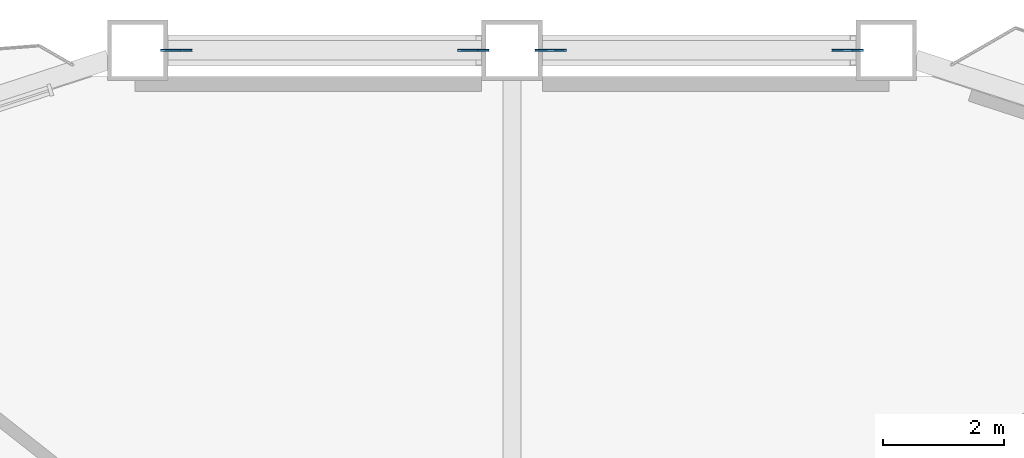
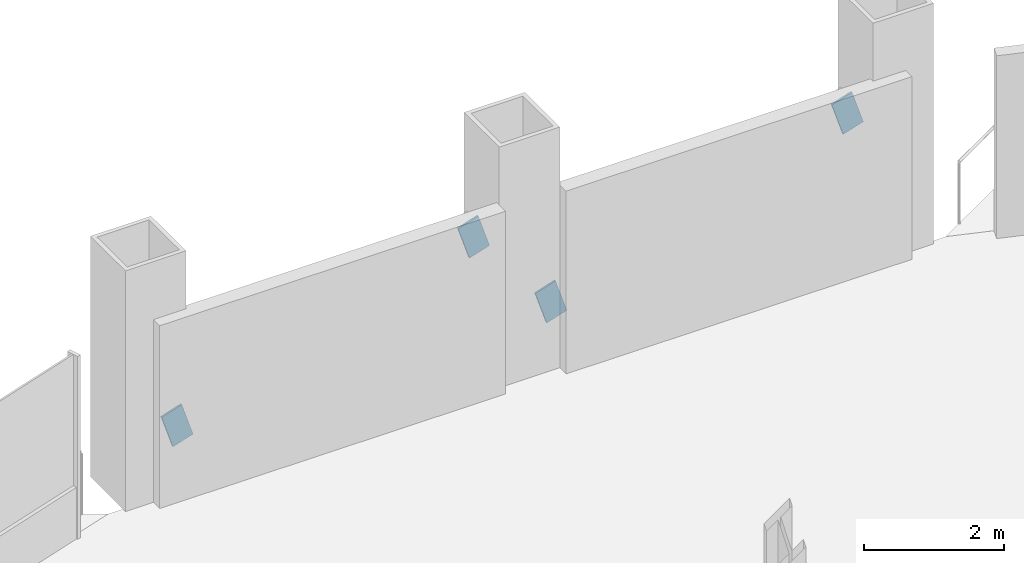
# One storey, part 15 of 20: 4 discrete accessories.
"""IFC4 building model written with IfcOpenShell, lengths in metres."""

import ifcopenshell
import ifcopenshell.guid

model = None  # the IFC model being written
_history = None  # IfcOwnerHistory: only IFC2X3 demands one
_inside = {}  # id of a spatial element -> (the spatial element, [elements in it])
_under = {}  # id of a project, library or spatial element -> (it, [spatial elements below it])
_declared = {}  # id of a project -> (the project, [libraries it declares])
_typed = {}  # id of a type object -> (the type object, [elements of that type])
_made_of = {}  # id of a material, layer set ... -> (it, [elements and type objects made of it])


def new_model(schema):
    """Start an empty IFC model of exactly this schema.

    Asked for "IFC4X3", IfcOpenShell would pick the latest addendum, in which some entities
    have other attributes; the version numbers below select the first issue.
    IFC2X3 requires an IfcOwnerHistory on every rooted entity: one is made here for all.
    """
    global model, _history
    if schema == "IFC4X3":
        model = ifcopenshell.file(schema_version=(4, 3, 0, 0))
    else:
        model = ifcopenshell.file(schema=schema)
    _inside.clear()
    _under.clear()
    _declared.clear()
    _typed.clear()
    _made_of.clear()
    _history = None
    if model.schema == "IFC2X3":
        org = make("IfcOrganization", Name="unknown")
        user = make(
            "IfcPersonAndOrganization",
            ThePerson=make("IfcPerson", FamilyName="unknown"),
            TheOrganization=org,
        )
        app = make(
            "IfcApplication",
            ApplicationDeveloper=org,
            Version="unknown",
            ApplicationFullName="unknown",
            ApplicationIdentifier="unknown",
        )
        _history = make(
            "IfcOwnerHistory",
            OwningUser=user,
            OwningApplication=app,
            ChangeAction="ADDED",
            CreationDate=0,
        )
    return model


def make(cls, **values):
    """One entity of the class cls with the attributes given. An attribute that is None is left unset."""
    return model.create_entity(
        cls, **{name: value for name, value in values.items() if value is not None}
    )


def rooted(cls, **values):
    """An entity with a GlobalId (a new one), such as an element, a storey or a relation."""
    return make(cls, GlobalId=ifcopenshell.guid.new(), OwnerHistory=_history, **values)


def si_unit(unit_type, name, prefix=None):
    """IfcSIUnit, for example si_unit("LENGTHUNIT", "METRE", prefix="MILLI")."""
    return make("IfcSIUnit", UnitType=unit_type, Prefix=prefix, Name=name)


def assignment(units):
    """IfcUnitAssignment: the units of a project."""
    return None if units is None else make("IfcUnitAssignment", Units=units)


def point(xyz):
    """IfcCartesianPoint."""
    return None if xyz is None else make("IfcCartesianPoint", Coordinates=xyz)


def direction(xyz):
    """IfcDirection."""
    return None if xyz is None else make("IfcDirection", DirectionRatios=xyz)


def frame(location, z_axis=None, x_axis=None):
    """IfcAxis2Placement3D, a coordinate frame: its origin and axes. An axis left out is left unset."""
    return make(
        "IfcAxis2Placement3D",
        Location=point(location),
        Axis=direction(z_axis),
        RefDirection=direction(x_axis),
    )


def frame_2d(location, x_axis=None):
    """IfcAxis2Placement2D, a coordinate frame in the plane: its origin and x axis."""
    return make(
        "IfcAxis2Placement2D", Location=point(location), RefDirection=direction(x_axis)
    )


def origin():
    """The frame at (0, 0, 0) with its axes left unset."""
    return frame((0.0, 0.0, 0.0))


def origin_2d():
    """The frame at (0, 0) in the plane with its x axis left unset."""
    return frame_2d((0.0, 0.0))


def place(relative_to, where):
    """IfcLocalPlacement: puts the frame where relative to a parent placement (None: the world)."""
    return make(
        "IfcLocalPlacement", PlacementRelTo=relative_to, RelativePlacement=where
    )


def context(
    kind, dimensions, precision=None, world=None, true_north=None, identifier=None
):
    """IfcGeometricRepresentationContext, for example the 3D "Model" context."""
    return make(
        "IfcGeometricRepresentationContext",
        ContextIdentifier=identifier,
        ContextType=kind,
        CoordinateSpaceDimension=dimensions,
        Precision=precision,
        WorldCoordinateSystem=world,
        TrueNorth=true_north,
    )


def subcontext(parent, identifier, kind, view, scale=None):
    """IfcGeometricRepresentationSubContext, for example "Body" below "Model"."""
    return make(
        "IfcGeometricRepresentationSubContext",
        ContextIdentifier=identifier,
        ContextType=kind,
        ParentContext=parent,
        TargetScale=scale,
        TargetView=view,
    )


def project(units=None, contexts=None):
    """IfcProject with its units and contexts."""
    return rooted(
        "IfcProject",
        Name="project",
        RepresentationContexts=contexts,
        UnitsInContext=assignment(units),
    )


def spatial(cls, under=None, at=None, **own):
    """A site, building, storey or space (cls), placed at a placement, below another one or the project."""
    s = rooted(cls, ObjectPlacement=at, **own)
    if under is not None:
        _under.setdefault(under.id(), (under, []))[1].append(s)
    return s


def profile(cls, at=None, kind="AREA", **sizes):
    """A parametric profile (cls). Its sizes go by their IFC names, for example OverallWidth=200.0."""
    return make(cls, ProfileType=kind, Position=at, **sizes)


def rectangle(**sizes):
    """IfcRectangleProfileDef."""
    return profile("IfcRectangleProfileDef", **sizes)


def extrude(swept, where, along, depth):
    """IfcExtrudedAreaSolid: the profile swept, set in the frame where, extruded along a direction by depth."""
    return make(
        "IfcExtrudedAreaSolid",
        SweptArea=swept,
        Position=where,
        ExtrudedDirection=direction(along),
        Depth=depth,
    )


def shape(context_of_items, identifier, shape_type, items):
    """IfcShapeRepresentation: the items that make up one representation, for example the "Body"."""
    return make(
        "IfcShapeRepresentation",
        ContextOfItems=context_of_items,
        RepresentationIdentifier=identifier,
        RepresentationType=shape_type,
        Items=items,
    )


def material(Name=None, Category=None):
    """IfcMaterial."""
    return make("IfcMaterial", Name=Name, Category=Category)


def material_profile(
    of_material, cross_section, Name=None, Category=None, Priority=None
):
    """IfcMaterialProfile: a cross section and its material."""
    return make(
        "IfcMaterialProfile",
        Name=Name,
        Material=of_material,
        Profile=cross_section,
        Priority=Priority,
        Category=Category,
    )


def profile_set(profiles, Name=None, composite=None):
    """IfcMaterialProfileSet."""
    return make(
        "IfcMaterialProfileSet",
        Name=Name,
        MaterialProfiles=profiles,
        CompositeProfile=composite,
    )


def made_of(thing, what):
    """Note that an element or type object is made of a material, layer set ...; save() writes the relation."""
    if what is not None:
        _made_of.setdefault(what.id(), (what, []))[1].append(thing)
    return thing


def type_object(cls, material=None, **own):
    """A type object (cls), such as IfcWallType, which elements share."""
    return made_of(rooted(cls, **own), material)


def element(
    cls,
    number,
    at=None,
    inside=None,
    cuts=None,
    type_object=None,
    material=None,
    context=None,
    identifier="Body",
    shape_type=None,
    held_by="IfcProductDefinitionShape",
    body=None,
    shapes=None,
    **own,
):
    """One element of the class cls, such as IfcWall. Its Tag is "e" and its number.

    at: its placement. inside: the storey or other place that contains it. cuts: it is an
    opening in that element (IfcRelVoidsElement). A single representation is given by context,
    identifier, shape_type and body (its items); several are given by shapes. held_by: the class
    of the entity that holds the representations. save() writes the other relations.
    """
    e = rooted(cls, Tag="e%d" % number, ObjectPlacement=at, **own)
    if body is not None:
        shapes = [shape(context, identifier, shape_type, body)]
    if shapes is not None:
        e.Representation = make(held_by, Representations=shapes)
    if inside is not None:
        _inside.setdefault(inside.id(), (inside, []))[1].append(e)
    if cuts is not None:
        rooted(
            "IfcRelVoidsElement", RelatingBuildingElement=cuts, RelatedOpeningElement=e
        )
    if type_object is not None:
        _typed.setdefault(type_object.id(), (type_object, []))[1].append(e)
    return made_of(e, material)


def aggregate(whole, parts):
    """IfcRelAggregates: a whole, such as a stair, and the parts it consists of."""
    return rooted("IfcRelAggregates", RelatingObject=whole, RelatedObjects=parts)


def save(model, path):
    """Write the relations noted so far, then the file.

    IfcRelAggregates (storeys below a building ...), IfcRelContainedInSpatialStructure (elements
    in a storey), IfcRelDefinesByType, IfcRelAssociatesMaterial and IfcRelDeclares: one each for
    every whole, place, type object, material and project.
    """
    for whole, parts in _under.values():
        aggregate(whole, parts)
    for where, things in _inside.values():
        rooted(
            "IfcRelContainedInSpatialStructure",
            RelatedElements=things,
            RelatingStructure=where,
        )
    for kind, things in _typed.values():
        rooted("IfcRelDefinesByType", RelatedObjects=things, RelatingType=kind)
    for what, things in _made_of.values():
        rooted("IfcRelAssociatesMaterial", RelatedObjects=things, RelatingMaterial=what)
    for by, libraries in _declared.values():
        rooted("IfcRelDeclares", RelatingContext=by, RelatedDefinitions=libraries)
    model.write(path)


model = new_model("IFC4")

# Units and contexts
model_context = context("Model", 3, precision=1e-05, world=origin(), true_north=direction((0.0, 1.0)))
body_context = subcontext(model_context, "Body", "Model", "MODEL_VIEW")
ifc_project = project(units=[si_unit("LENGTHUNIT", "METRE"), si_unit("AREAUNIT", "SQUARE_METRE"), si_unit("VOLUMEUNIT", "CUBIC_METRE"), si_unit("PLANEANGLEUNIT", "RADIAN"), si_unit("MASSUNIT", "GRAM", prefix="KILO")], contexts=[model_context])

# Site, building, storey
site_placement = place(None, origin())
site = spatial("IfcSite", under=ifc_project, at=site_placement, CompositionType="ELEMENT")
building_placement = place(site_placement, origin())
building = spatial("IfcBuilding", under=site, at=building_placement, Name="Cormorant Prow Tower", CompositionType="ELEMENT")
storey_placement = place(building_placement, frame((0.0, 0.0, 38.39990234375)))
storey = spatial("IfcBuildingStorey", under=building, at=storey_placement, Name="L07", CompositionType="ELEMENT", Elevation=38.39990234375)

# Discrete accessories
ifc_material = material(Name="Structural steel ASTM A500 Gr C", Category="steel")
ifc_material_profile = material_profile(ifc_material, rectangle(XDim=0.031982421875, YDim=0.60791015625, at=origin_2d()), Name="Gusset plate 32x608")
ifc_profile_set = profile_set([ifc_material_profile], Name="Structural steel ASTM A500 Gr C")
discrete_accessory_type = type_object("IfcDiscreteAccessoryType", Name="Gusset plate 32x608", PredefinedType="BRACKET", material=ifc_profile_set)
for number, where, z_axis, x_axis, name in (
    (1, (0.80419921875, 32.233642578125, 0.859375), (-0.951708617761, 0.0, -0.307002779923), (0.0, -1.0, 0.0), "Gusset plate GP1 L07.N00.g0"),
    (2, (5.365478515625, 32.233642578125, 2.329833984375), (0.951912313317, 0.0, 0.306370605239), (0.0, 1.0, 0.0), "Gusset plate GP1 L07.N00.g1"),
    (3, (-5.365478515625, 32.233642578125, 0.859375), (-0.951708617761, 0.0, -0.307002779923), (0.0, -1.0, 0.0), "Gusset plate GP1 L07.N01.g0"),
    (4, (-0.80419921875, 32.233642578125, 2.329833984375), (0.951912313317, 0.0, 0.306370605239), (0.0, 1.0, 0.0), "Gusset plate GP1 L07.N01.g1"),
):
    element("IfcDiscreteAccessory", number, at=place(storey_placement, frame(where, z_axis=z_axis, x_axis=x_axis)), inside=storey, type_object=discrete_accessory_type, Name=name, PredefinedType="BRACKET", context=body_context, shape_type="SweptSolid", body=[
        extrude(rectangle(XDim=0.031982421875, YDim=0.60791015625, at=origin_2d()), origin(), (0.0, 0.0, 1.0), 0.349853515625),
    ])

save(model, "model.ifc")
